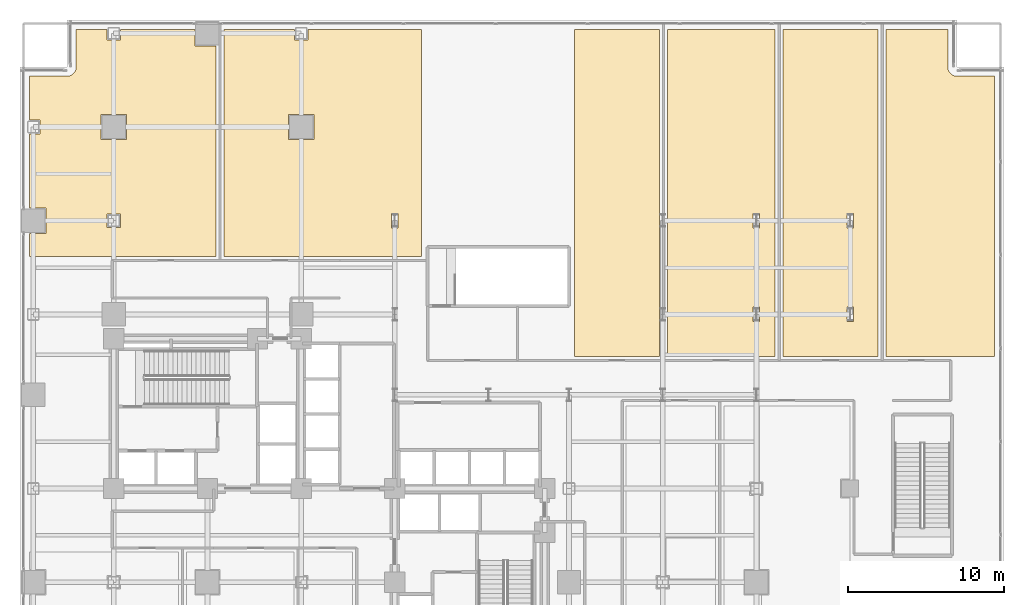
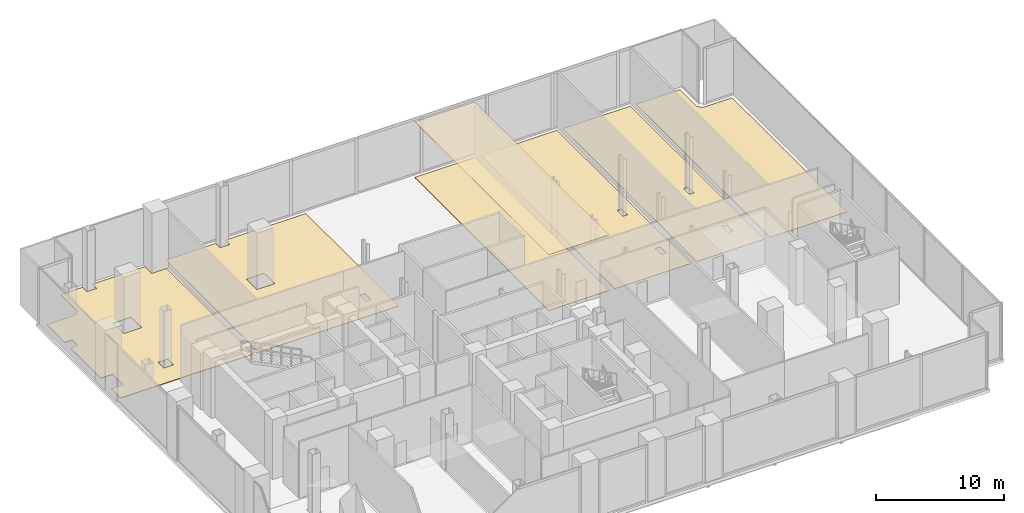
# One storey, part 27 of 27: 7 coverings.
"""IFC4 building model written with IfcOpenShell, lengths in metres."""

from ifc_helpers import new_model, si_unit, direction, frame, origin, place, context, subcontext, project, spatial, polyline, outline, extrude, material, layer, layer_set, type_object, element, save


model = new_model("IFC4")

# Units and contexts
model_context = context("Model", 3, precision=1e-05, world=origin(), true_north=direction((0.0, 1.0)))
body_context = subcontext(model_context, "Body", "Model", "MODEL_VIEW")
ifc_project = project(units=[si_unit("LENGTHUNIT", "METRE"), si_unit("AREAUNIT", "SQUARE_METRE"), si_unit("VOLUMEUNIT", "CUBIC_METRE"), si_unit("PLANEANGLEUNIT", "RADIAN"), si_unit("MASSUNIT", "GRAM", prefix="KILO"), si_unit("THERMODYNAMICTEMPERATUREUNIT", "KELVIN"), si_unit("POWERUNIT", "WATT")], contexts=[model_context])

# Site, building, storey
site_placement = place(None, origin())
site = spatial("IfcSite", under=ifc_project, at=site_placement, CompositionType="ELEMENT")
building_placement = place(site_placement, origin())
building = spatial("IfcBuilding", under=site, at=building_placement, Name="Svarakhadi Broadcast Tower", CompositionType="ELEMENT")
storey_placement = place(building_placement, frame((0.0, 0.0, 21.89990234375)))
storey = spatial("IfcBuildingStorey", under=building, at=storey_placement, Name="L04", CompositionType="ELEMENT", Elevation=21.89990234375)

# Coverings
ifc_material_1 = material(Name="Micro-Perforated Mineral Fibre Acoustic Ceiling Tile", Category="mineral_fibre")
ifc_layer_1 = layer(ifc_material_1, 0.02490234375)
ifc_layer_set_1 = layer_set([ifc_layer_1], Name="Micro-Perforated Mineral Fibre Acoustic Ceiling Tile")
covering_type_1 = type_object("IfcCoveringType", Name="Cov_Ceiling_Tile", PredefinedType="CEILING", material=ifc_layer_set_1)
covering_1_placement = place(storey_placement, frame((0.0, 0.0, 5.3251953125)))
element("IfcCovering", 1, at=covering_1_placement, inside=storey, type_object=covering_type_1, Name="L04 L04 Satellite Ingest and Playout Office Acoustic Ceiling", PredefinedType="CEILING", context=body_context, shape_type="SweptSolid", body=[
    extrude(outline(polyline([(40.93994140625, 47.389892578125), (40.93994140625, 35.610107421875), (40.93994140625, 35.360107421875), (40.93994140625, 34.93994140625), (40.93994140625, 34.68994140625), (40.93994140625, 29.610107421875), (40.93994140625, 29.360107421875), (40.93994140625, 28.93994140625), (40.93994140625, 28.68994140625), (40.93994140625, 26.4599609375), (35.510009765625, 26.4599609375), (35.510009765625, 47.389892578125), (40.93994140625, 47.389892578125)])), origin(), (0.0, 0.0, 1.0), 0.02490234375),
])
ifc_material_2 = material(Name="Heavy-Duty Anti-Static Broadcast Raised Access Floor", Category="steel")
ifc_layer_2 = layer(ifc_material_2, 0.050048828125)
ifc_layer_set_2 = layer_set([ifc_layer_2], Name="Heavy-Duty Anti-Static Broadcast Raised Access Floor")
covering_type_2 = type_object("IfcCoveringType", Name="Cov_Floor_Access", PredefinedType="FLOORING", material=ifc_layer_set_2)
covering_2_placement = place(storey_placement, origin())
element("IfcCovering", 2, at=covering_2_placement, inside=storey, type_object=covering_type_2, Name="L04 L04 Satellite Ingest and Playout Office Floor Finish", PredefinedType="FLOORING", context=body_context, shape_type="SweptSolid", body=[
    extrude(outline(polyline([(40.93994140625, 47.389892578125), (40.93994140625, 35.610107421875), (40.93994140625, 34.68994140625), (40.93994140625, 29.610107421875), (40.93994140625, 28.68994140625), (40.93994140625, 26.4599609375), (35.510009765625, 26.4599609375), (35.510009765625, 47.389892578125), (40.93994140625, 47.389892578125)])), origin(), (0.0, 0.0, 1.0), 0.050048828125),
])
covering_3_placement = place(storey_placement, origin())
element("IfcCovering", 3, at=covering_3_placement, inside=storey, type_object=covering_type_2, Name="L04 L04 Radio Drama Studio Floor Finish", PredefinedType="FLOORING", context=body_context, shape_type="SweptSolid", body=[
    extrude(outline(polyline([(0.610107421875, 32.860107421875), (0.610107421875, 34.340087890625), (1.659912109375, 34.340087890625), (1.659912109375, 35.9599609375), (0.610107421875, 35.9599609375), (0.610107421875, 40.715087890625), (1.284912109375, 40.715087890625), (1.284912109375, 41.5849609375), (0.610107421875, 41.5849609375), (0.610107421875, 44.39990234375), (3.0, 44.39990234375), (3.009033203125, 44.39990234375), (3.050048828125, 44.402099609375), (3.06689453125, 44.404052734375), (3.10791015625, 44.409912109375), (3.1259765625, 44.4130859375), (3.166015625, 44.423095703125), (3.18310546875, 44.428955078125), (3.221923828125, 44.443115234375), (3.239990234375, 44.449951171875), (3.277099609375, 44.468017578125), (3.291015625, 44.47607421875), (3.325927734375, 44.4970703125), (3.339111328125, 44.5048828125), (3.3720703125, 44.529052734375), (3.386962890625, 44.541015625), (3.41796875, 44.569091796875), (3.430908203125, 44.58203125), (3.458984375, 44.613037109375), (3.470947265625, 44.6279296875), (3.4951171875, 44.660888671875), (3.5029296875, 44.674072265625), (3.52392578125, 44.708984375), (3.531982421875, 44.722900390625), (3.550048828125, 44.760009765625), (3.556884765625, 44.778076171875), (3.571044921875, 44.81689453125), (3.576904296875, 44.833984375), (3.5869140625, 44.8740234375), (3.590087890625, 44.89208984375), (3.595947265625, 44.93310546875), (3.597900390625, 44.949951171875), (3.60009765625, 44.990966796875), (3.60009765625, 45.0), (3.60009765625, 47.389892578125), (5.56494140625, 47.389892578125), (5.56494140625, 46.715087890625), (6.43505859375, 46.715087890625), (6.43505859375, 47.389892578125), (11.18994140625, 47.389892578125), (11.18994140625, 46.340087890625), (12.5400390625, 46.340087890625), (12.5400390625, 32.860107421875), (0.610107421875, 32.860107421875)]), holes=[polyline([(5.56494140625, 34.715087890625), (6.43505859375, 34.715087890625), (6.43505859375, 35.5849609375), (5.56494140625, 35.5849609375), (5.56494140625, 34.715087890625)]), polyline([(5.18994140625, 40.340087890625), (6.81005859375, 40.340087890625), (6.81005859375, 41.9599609375), (5.18994140625, 41.9599609375), (5.18994140625, 40.340087890625)])]), origin(), (0.0, 0.0, 1.0), 0.050048828125),
])
ifc_material_3 = material(Name="Honed Konkan Basalt Stone Tile Flooring", Category="masonry")
ifc_layer_3 = layer(ifc_material_3, 0.034912109375)
ifc_layer_set_3 = layer_set([ifc_layer_3], Name="Honed Konkan Basalt Stone Tile Flooring")
covering_type_3 = type_object("IfcCoveringType", Name="Cov_Floor_Basalt", PredefinedType="FLOORING", material=ifc_layer_set_3)
covering_4_placement = place(storey_placement, origin())
element("IfcCovering", 4, at=covering_4_placement, inside=storey, type_object=covering_type_3, Name="L04 L04 Editorial Conference Room Floor Finish", PredefinedType="FLOORING", context=body_context, shape_type="SweptSolid", body=[
    extrude(outline(polyline([(48.340087890625, 47.389892578125), (48.340087890625, 26.4599609375), (41.4599609375, 26.4599609375), (41.4599609375, 47.389892578125), (48.340087890625, 47.389892578125)]), holes=[polyline([(46.93994140625, 28.68994140625), (47.360107421875, 28.68994140625), (47.360107421875, 29.610107421875), (46.93994140625, 29.610107421875), (46.93994140625, 28.68994140625)]), polyline([(46.93994140625, 34.68994140625), (47.360107421875, 34.68994140625), (47.360107421875, 35.610107421875), (46.93994140625, 35.610107421875), (46.93994140625, 34.68994140625)])]), origin(), (0.0, 0.0, 1.0), 0.03515625),
])
covering_5_placement = place(storey_placement, origin())
element("IfcCovering", 5, at=covering_5_placement, inside=storey, type_object=covering_type_3, Name="L04 L04 Broadcast Copy and Archive Store Floor Finish", PredefinedType="FLOORING", context=body_context, shape_type="SweptSolid", body=[
    extrude(outline(polyline([(55.4599609375, 47.389892578125), (59.39990234375, 47.389892578125), (59.39990234375, 45.0), (59.39990234375, 44.990966796875), (59.402099609375, 44.949951171875), (59.404052734375, 44.93310546875), (59.409912109375, 44.89208984375), (59.4130859375, 44.8740234375), (59.423095703125, 44.833984375), (59.428955078125, 44.81689453125), (59.443115234375, 44.778076171875), (59.449951171875, 44.760009765625), (59.468017578125, 44.722900390625), (59.47607421875, 44.708984375), (59.4970703125, 44.674072265625), (59.5048828125, 44.660888671875), (59.529052734375, 44.6279296875), (59.541015625, 44.613037109375), (59.569091796875, 44.58203125), (59.58203125, 44.569091796875), (59.613037109375, 44.541015625), (59.6279296875, 44.529052734375), (59.660888671875, 44.5048828125), (59.674072265625, 44.4970703125), (59.708984375, 44.47607421875), (59.722900390625, 44.468017578125), (59.760009765625, 44.449951171875), (59.778076171875, 44.443115234375), (59.81689453125, 44.428955078125), (59.833984375, 44.423095703125), (59.8740234375, 44.4130859375), (59.89208984375, 44.409912109375), (59.93310546875, 44.404052734375), (59.949951171875, 44.402099609375), (59.990966796875, 44.39990234375), (60.0, 44.39990234375), (62.389892578125, 44.39990234375), (62.389892578125, 26.4599609375), (55.4599609375, 26.4599609375), (55.4599609375, 47.389892578125)])), origin(), (0.0, 0.0, 1.0), 0.03515625),
])
covering_6_placement = place(storey_placement, origin())
element("IfcCovering", 6, at=covering_6_placement, inside=storey, type_object=covering_type_3, Name="L04 L04 Scenic Prop Storage Room Floor Finish", PredefinedType="FLOORING", context=body_context, shape_type="SweptSolid", body=[
    extrude(outline(polyline([(17.56494140625, 47.389892578125), (17.56494140625, 46.715087890625), (18.43505859375, 46.715087890625), (18.43505859375, 47.389892578125), (25.68994140625, 47.389892578125), (25.68994140625, 32.860107421875), (13.06005859375, 32.860107421875), (13.06005859375, 47.389892578125), (17.56494140625, 47.389892578125)]), holes=[polyline([(23.7900390625, 34.68994140625), (24.2099609375, 34.68994140625), (24.2099609375, 35.610107421875), (23.7900390625, 35.610107421875), (23.7900390625, 34.68994140625)]), polyline([(17.18994140625, 40.340087890625), (18.81005859375, 40.340087890625), (18.81005859375, 41.9599609375), (17.18994140625, 41.9599609375), (17.18994140625, 40.340087890625)])]), origin(), (0.0, 0.0, 1.0), 0.03515625),
])
ifc_material_4 = material(Name="Polished White Marble-Chip Terrazzo Flooring", Category="masonry")
ifc_layer_4 = layer(ifc_material_4, 0.030029296875)
ifc_layer_set_4 = layer_set([ifc_layer_4], Name="Polished White Marble-Chip Terrazzo Flooring")
covering_type_4 = type_object("IfcCoveringType", Name="Cov_Floor_Terrazzo", PredefinedType="FLOORING", material=ifc_layer_set_4)
covering_7_placement = place(storey_placement, origin())
element("IfcCovering", 7, at=covering_7_placement, inside=storey, type_object=covering_type_4, Name="L04 L04 Staff Dining Canteen Floor Finish", PredefinedType="FLOORING", context=body_context, shape_type="SweptSolid", body=[
    extrude(outline(polyline([(54.93994140625, 47.389892578125), (54.93994140625, 26.4599609375), (48.860107421875, 26.4599609375), (48.860107421875, 47.389892578125), (54.93994140625, 47.389892578125)]), holes=[polyline([(52.93994140625, 28.68994140625), (53.360107421875, 28.68994140625), (53.360107421875, 29.610107421875), (52.93994140625, 29.610107421875), (52.93994140625, 28.68994140625)]), polyline([(52.93994140625, 34.68994140625), (53.360107421875, 34.68994140625), (53.360107421875, 35.610107421875), (52.93994140625, 35.610107421875), (52.93994140625, 34.68994140625)])]), origin(), (0.0, 0.0, 1.0), 0.030029296875),
])

save(model, "model.ifc")
